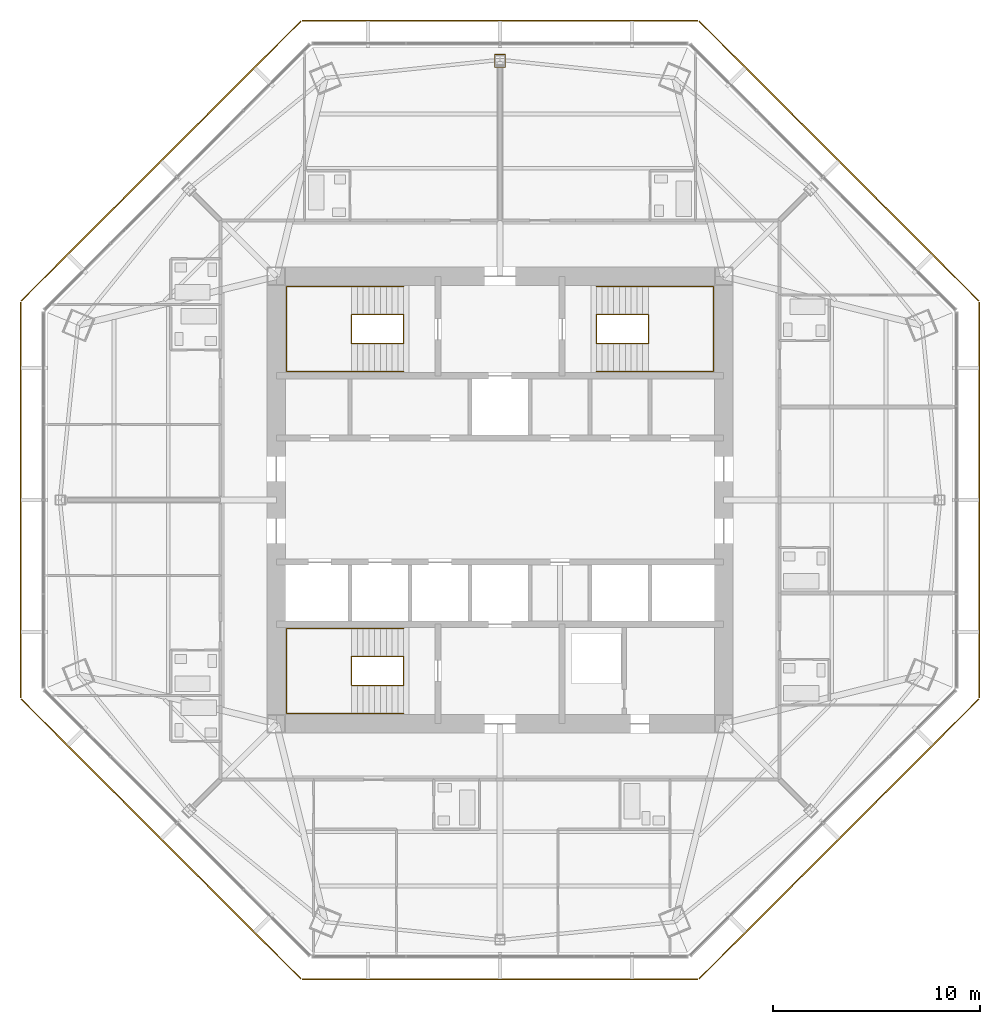
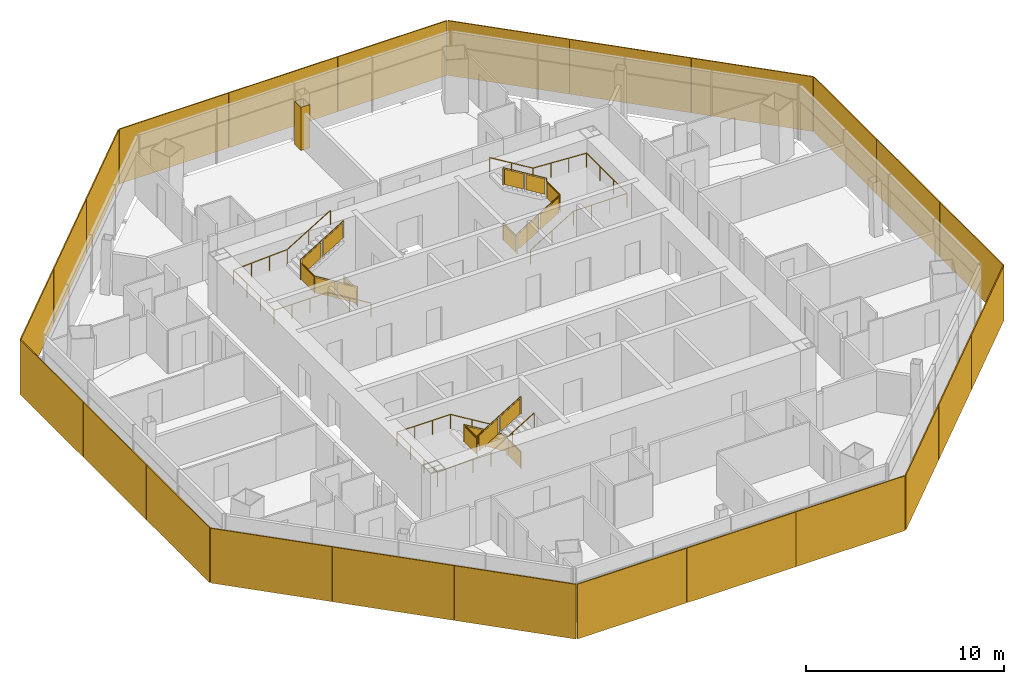
# One storey, part 14 of 15: 24 shading devices, 6 railings, 1 covering.
"""IFC4 building model written with IfcOpenShell, lengths in metres."""

import ifcopenshell
import ifcopenshell.guid

model = None  # the IFC model being written
_history = None  # IfcOwnerHistory: only IFC2X3 demands one
_inside = {}  # id of a spatial element -> (the spatial element, [elements in it])
_under = {}  # id of a project, library or spatial element -> (it, [spatial elements below it])
_declared = {}  # id of a project -> (the project, [libraries it declares])
_typed = {}  # id of a type object -> (the type object, [elements of that type])
_made_of = {}  # id of a material, layer set ... -> (it, [elements and type objects made of it])


def new_model(schema):
    """Start an empty IFC model of exactly this schema.

    Asked for "IFC4X3", IfcOpenShell would pick the latest addendum, in which some entities
    have other attributes; the version numbers below select the first issue.
    IFC2X3 requires an IfcOwnerHistory on every rooted entity: one is made here for all.
    """
    global model, _history
    if schema == "IFC4X3":
        model = ifcopenshell.file(schema_version=(4, 3, 0, 0))
    else:
        model = ifcopenshell.file(schema=schema)
    _inside.clear()
    _under.clear()
    _declared.clear()
    _typed.clear()
    _made_of.clear()
    _history = None
    if model.schema == "IFC2X3":
        org = make("IfcOrganization", Name="unknown")
        user = make(
            "IfcPersonAndOrganization",
            ThePerson=make("IfcPerson", FamilyName="unknown"),
            TheOrganization=org,
        )
        app = make(
            "IfcApplication",
            ApplicationDeveloper=org,
            Version="unknown",
            ApplicationFullName="unknown",
            ApplicationIdentifier="unknown",
        )
        _history = make(
            "IfcOwnerHistory",
            OwningUser=user,
            OwningApplication=app,
            ChangeAction="ADDED",
            CreationDate=0,
        )
    return model


def make(cls, **values):
    """One entity of the class cls with the attributes given. An attribute that is None is left unset."""
    return model.create_entity(
        cls, **{name: value for name, value in values.items() if value is not None}
    )


def rooted(cls, **values):
    """An entity with a GlobalId (a new one), such as an element, a storey or a relation."""
    return make(cls, GlobalId=ifcopenshell.guid.new(), OwnerHistory=_history, **values)


def si_unit(unit_type, name, prefix=None):
    """IfcSIUnit, for example si_unit("LENGTHUNIT", "METRE", prefix="MILLI")."""
    return make("IfcSIUnit", UnitType=unit_type, Prefix=prefix, Name=name)


def assignment(units):
    """IfcUnitAssignment: the units of a project."""
    return None if units is None else make("IfcUnitAssignment", Units=units)


def point(xyz):
    """IfcCartesianPoint."""
    return None if xyz is None else make("IfcCartesianPoint", Coordinates=xyz)


def direction(xyz):
    """IfcDirection."""
    return None if xyz is None else make("IfcDirection", DirectionRatios=xyz)


def frame(location, z_axis=None, x_axis=None):
    """IfcAxis2Placement3D, a coordinate frame: its origin and axes. An axis left out is left unset."""
    return make(
        "IfcAxis2Placement3D",
        Location=point(location),
        Axis=direction(z_axis),
        RefDirection=direction(x_axis),
    )


def frame_2d(location, x_axis=None):
    """IfcAxis2Placement2D, a coordinate frame in the plane: its origin and x axis."""
    return make(
        "IfcAxis2Placement2D", Location=point(location), RefDirection=direction(x_axis)
    )


def origin():
    """The frame at (0, 0, 0) with its axes left unset."""
    return frame((0.0, 0.0, 0.0))


def origin_2d():
    """The frame at (0, 0) in the plane with its x axis left unset."""
    return frame_2d((0.0, 0.0))


def place(relative_to, where):
    """IfcLocalPlacement: puts the frame where relative to a parent placement (None: the world)."""
    return make(
        "IfcLocalPlacement", PlacementRelTo=relative_to, RelativePlacement=where
    )


def context(
    kind, dimensions, precision=None, world=None, true_north=None, identifier=None
):
    """IfcGeometricRepresentationContext, for example the 3D "Model" context."""
    return make(
        "IfcGeometricRepresentationContext",
        ContextIdentifier=identifier,
        ContextType=kind,
        CoordinateSpaceDimension=dimensions,
        Precision=precision,
        WorldCoordinateSystem=world,
        TrueNorth=true_north,
    )


def subcontext(parent, identifier, kind, view, scale=None):
    """IfcGeometricRepresentationSubContext, for example "Body" below "Model"."""
    return make(
        "IfcGeometricRepresentationSubContext",
        ContextIdentifier=identifier,
        ContextType=kind,
        ParentContext=parent,
        TargetScale=scale,
        TargetView=view,
    )


def project(units=None, contexts=None):
    """IfcProject with its units and contexts."""
    return rooted(
        "IfcProject",
        Name="project",
        RepresentationContexts=contexts,
        UnitsInContext=assignment(units),
    )


def spatial(cls, under=None, at=None, **own):
    """A site, building, storey or space (cls), placed at a placement, below another one or the project."""
    s = rooted(cls, ObjectPlacement=at, **own)
    if under is not None:
        _under.setdefault(under.id(), (under, []))[1].append(s)
    return s


def polyline(points):
    """IfcPolyline through the points."""
    return make("IfcPolyline", Points=[point(p) for p in points])


def profile(cls, at=None, kind="AREA", **sizes):
    """A parametric profile (cls). Its sizes go by their IFC names, for example OverallWidth=200.0."""
    return make(cls, ProfileType=kind, Position=at, **sizes)


def rectangle(**sizes):
    """IfcRectangleProfileDef."""
    return profile("IfcRectangleProfileDef", **sizes)


def circle(**sizes):
    """IfcCircleProfileDef."""
    return profile("IfcCircleProfileDef", **sizes)


def outline(outer, holes=None, kind="AREA"):
    """IfcArbitraryClosedProfileDef: a profile drawn as a closed curve; with holes, ...WithVoids."""
    if holes is None:
        return make("IfcArbitraryClosedProfileDef", ProfileType=kind, OuterCurve=outer)
    return make(
        "IfcArbitraryProfileDefWithVoids",
        ProfileType=kind,
        OuterCurve=outer,
        InnerCurves=holes,
    )


def extrude(swept, where, along, depth):
    """IfcExtrudedAreaSolid: the profile swept, set in the frame where, extruded along a direction by depth."""
    return make(
        "IfcExtrudedAreaSolid",
        SweptArea=swept,
        Position=where,
        ExtrudedDirection=direction(along),
        Depth=depth,
    )


def shape(context_of_items, identifier, shape_type, items):
    """IfcShapeRepresentation: the items that make up one representation, for example the "Body"."""
    return make(
        "IfcShapeRepresentation",
        ContextOfItems=context_of_items,
        RepresentationIdentifier=identifier,
        RepresentationType=shape_type,
        Items=items,
    )


def source(mapping_origin, context_of_items, identifier, shape_type, items):
    """IfcRepresentationMap: a shape defined once, which mapped items show again and again."""
    return make(
        "IfcRepresentationMap",
        MappingOrigin=mapping_origin,
        MappedRepresentation=shape(context_of_items, identifier, shape_type, items),
    )


def transform(
    local_origin,
    x_axis=None,
    y_axis=None,
    z_axis=None,
    scale=None,
    scale2=None,
    scale3=None,
    uniform=True,
):
    """IfcCartesianTransformationOperator3D, or its non-uniform kind. x_axis, y_axis, z_axis: its Axis1, 2, 3."""
    if uniform:
        return make(
            "IfcCartesianTransformationOperator3D",
            Axis1=direction(x_axis),
            Axis2=direction(y_axis),
            LocalOrigin=point(local_origin),
            Scale=scale,
            Axis3=direction(z_axis),
        )
    return make(
        "IfcCartesianTransformationOperator3DnonUniform",
        Axis1=direction(x_axis),
        Axis2=direction(y_axis),
        LocalOrigin=point(local_origin),
        Scale=scale,
        Axis3=direction(z_axis),
        Scale2=scale2,
        Scale3=scale3,
    )


def mapped(mapping_source, mapping_target):
    """IfcMappedItem: shows the shape of a source again, moved by a transform."""
    return make(
        "IfcMappedItem", MappingSource=mapping_source, MappingTarget=mapping_target
    )


def material(Name=None, Category=None):
    """IfcMaterial."""
    return make("IfcMaterial", Name=Name, Category=Category)


def layer(
    of_material, thickness, ventilated=None, Name=None, Category=None, Priority=None
):
    """IfcMaterialLayer: one layer of a wall or slab, of a material (None: an air gap)."""
    return make(
        "IfcMaterialLayer",
        Material=of_material,
        LayerThickness=thickness,
        IsVentilated=ventilated,
        Name=Name,
        Category=Category,
        Priority=Priority,
    )


def layer_set(layers, Name=None):
    """IfcMaterialLayerSet."""
    return make("IfcMaterialLayerSet", MaterialLayers=layers, LayerSetName=Name)


def made_of(thing, what):
    """Note that an element or type object is made of a material, layer set ...; save() writes the relation."""
    if what is not None:
        _made_of.setdefault(what.id(), (what, []))[1].append(thing)
    return thing


def type_object(cls, material=None, **own):
    """A type object (cls), such as IfcWallType, which elements share."""
    return made_of(rooted(cls, **own), material)


def type_shapes(of_type, sources):
    """Give a type object the sources (RepresentationMaps) that its elements show as mapped items."""
    of_type.RepresentationMaps = sources


def element(
    cls,
    number,
    at=None,
    inside=None,
    cuts=None,
    type_object=None,
    material=None,
    context=None,
    identifier="Body",
    shape_type=None,
    held_by="IfcProductDefinitionShape",
    body=None,
    shapes=None,
    **own,
):
    """One element of the class cls, such as IfcWall. Its Tag is "e" and its number.

    at: its placement. inside: the storey or other place that contains it. cuts: it is an
    opening in that element (IfcRelVoidsElement). A single representation is given by context,
    identifier, shape_type and body (its items); several are given by shapes. held_by: the class
    of the entity that holds the representations. save() writes the other relations.
    """
    e = rooted(cls, Tag="e%d" % number, ObjectPlacement=at, **own)
    if body is not None:
        shapes = [shape(context, identifier, shape_type, body)]
    if shapes is not None:
        e.Representation = make(held_by, Representations=shapes)
    if inside is not None:
        _inside.setdefault(inside.id(), (inside, []))[1].append(e)
    if cuts is not None:
        rooted(
            "IfcRelVoidsElement", RelatingBuildingElement=cuts, RelatedOpeningElement=e
        )
    if type_object is not None:
        _typed.setdefault(type_object.id(), (type_object, []))[1].append(e)
    return made_of(e, material)


def aggregate(whole, parts):
    """IfcRelAggregates: a whole, such as a stair, and the parts it consists of."""
    return rooted("IfcRelAggregates", RelatingObject=whole, RelatedObjects=parts)


def save(model, path):
    """Write the relations noted so far, then the file.

    IfcRelAggregates (storeys below a building ...), IfcRelContainedInSpatialStructure (elements
    in a storey), IfcRelDefinesByType, IfcRelAssociatesMaterial and IfcRelDeclares: one each for
    every whole, place, type object, material and project.
    """
    for whole, parts in _under.values():
        aggregate(whole, parts)
    for where, things in _inside.values():
        rooted(
            "IfcRelContainedInSpatialStructure",
            RelatedElements=things,
            RelatingStructure=where,
        )
    for kind, things in _typed.values():
        rooted("IfcRelDefinesByType", RelatedObjects=things, RelatingType=kind)
    for what, things in _made_of.values():
        rooted("IfcRelAssociatesMaterial", RelatedObjects=things, RelatingMaterial=what)
    for by, libraries in _declared.values():
        rooted("IfcRelDeclares", RelatingContext=by, RelatedDefinitions=libraries)
    model.write(path)


model = new_model("IFC4")

# Units and contexts
model_context = context("Model", 3, precision=1e-05, world=origin(), true_north=direction((0.0, 1.0)))
body_context = subcontext(model_context, "Body", "Model", "MODEL_VIEW")
ifc_project = project(units=[si_unit("LENGTHUNIT", "METRE"), si_unit("AREAUNIT", "SQUARE_METRE"), si_unit("VOLUMEUNIT", "CUBIC_METRE"), si_unit("PLANEANGLEUNIT", "RADIAN"), si_unit("MASSUNIT", "GRAM", prefix="KILO")], contexts=[model_context])

# Site, building, storey
site_placement = place(None, origin())
site = spatial("IfcSite", under=ifc_project, at=site_placement, CompositionType="ELEMENT")
building_placement = place(site_placement, origin())
building = spatial("IfcBuilding", under=site, at=building_placement, Name="Mashrafa Tower", CompositionType="ELEMENT")
storey_placement = place(building_placement, frame((0.0, 0.0, 210.800048828125)))
storey = spatial("IfcBuildingStorey", under=building, at=storey_placement, Name="L48", CompositionType="ELEMENT", Elevation=210.800048828125)

# Covering
ifc_material_1 = material(Name="Gypsum board")
ifc_layer_1 = layer(ifc_material_1, 0.014892578125)
ifc_layer_set_1 = layer_set([ifc_layer_1], Name="Column casing plasterboard 15")
covering_type = type_object("IfcCoveringType", Name="Column casing plasterboard 15", PredefinedType="CLADDING", material=ifc_layer_set_1)
covering_placement = place(storey_placement, origin())
element("IfcCovering", 1, at=covering_placement, inside=storey, type_object=covering_type, Name="Column casing L48-001", PredefinedType="CLADDING", context=body_context, shape_type="SweptSolid", body=[
    extrude(outline(polyline([(-0.264892578125, 21.5166015625), (0.264892578125, 21.5166015625), (0.264892578125, 20.89013671875), (-0.264892578125, 20.89013671875), (-0.264892578125, 21.5166015625)]), holes=[polyline([(0.25, 20.9052734375), (0.25, 21.501708984375), (-0.25, 21.501708984375), (-0.25, 20.9052734375), (0.25, 20.9052734375)])]), origin(), (0.0, 0.0, 1.0), 2.6640625),
])

# Railings
ifc_material_2 = material(Name="Steel guard with glass infill", Category="steel")
railing_type_1 = type_object("IfcRailingType", Name="Stair guard 1100", PredefinedType="GUARDRAIL", material=ifc_material_2)
railing_1_placement = place(storey_placement, frame((-4.64990234375, 8.949951171875, 0.0)))
element("IfcRailing", 2, at=railing_1_placement, inside=storey, type_object=railing_type_1, Name="Stair S1 guard L48", PredefinedType="GUARDRAIL", context=body_context, shape_type="SweptSolid", body=[
    extrude(circle(Radius=0.02392578125, at=origin_2d()), frame((0.0, 0.0, 1.076171875), z_axis=(0.0, -1.0, 0.0), x_axis=(1.0, 0.0, 0.0)), (0.0, 0.0, 1.0), 1.39990234375),
    extrude(circle(Radius=0.02392578125, at=origin_2d()), frame((0.0, -1.39990234375, 1.076171875), z_axis=(0.0, 0.0, 1.0), x_axis=(1.0, 0.0, 0.0)), (0.0, 0.0, 1.0), 0.169921875),
    extrude(circle(Radius=0.02392578125, at=origin_2d()), frame((0.0, -1.39990234375, 1.24609375), z_axis=(-0.85478489116, 0.0, 0.518982456201), x_axis=(0.0, -1.0, 0.0)), (0.0, 0.0, 1.0), 2.9482421875),
    extrude(circle(Radius=0.02392578125, at=origin_2d()), frame((-2.52001953125, -1.39990234375, 2.77587890625), z_axis=(0.0, 1.0, 0.0), x_axis=(-1.0, 0.0, 0.0)), (0.0, 0.0, 1.0), 1.39990234375),
    extrude(circle(Radius=0.02392578125, at=origin_2d()), frame((-2.52001953125, 0.0, 2.77587890625), z_axis=(0.0, 0.0, 1.0), x_axis=(1.0, 0.0, 0.0)), (0.0, 0.0, 1.0), 0.169921875),
    extrude(circle(Radius=0.02392578125, at=origin_2d()), frame((-2.52001953125, 0.0, 2.94580078125), z_axis=(0.85478489116, 0.0, 0.518982456201), x_axis=(0.0, 1.0, 0.0)), (0.0, 0.0, 1.0), 2.9482421875),
    extrude(circle(Radius=0.02099609375, at=origin_2d()), origin(), (0.0, 0.0, 1.0), 1.052001953125),
    extrude(circle(Radius=0.02099609375, at=origin_2d()), frame((0.0, -1.39990234375, 0.0)), (0.0, 0.0, 1.0), 1.052001953125),
    extrude(circle(Radius=0.02099609375, at=origin_2d()), frame((0.0, -1.39990234375, 0.169921875)), (0.0, 0.0, 1.0), 1.052001953125),
    extrude(circle(Radius=0.02099609375, at=origin_2d()), frame((-1.260009765625, -1.39990234375, 0.93505859375)), (0.0, 0.0, 1.0), 1.052001953125),
    extrude(circle(Radius=0.02099609375, at=origin_2d()), frame((-2.52001953125, -1.39990234375, 1.699951171875)), (0.0, 0.0, 1.0), 1.052001953125),
    extrude(circle(Radius=0.02099609375, at=origin_2d()), frame((-2.52001953125, 0.0, 1.699951171875)), (0.0, 0.0, 1.0), 1.052001953125),
    extrude(circle(Radius=0.02099609375, at=origin_2d()), frame((-2.52001953125, 0.0, 1.869873046875)), (0.0, 0.0, 1.0), 1.052001953125),
    extrude(circle(Radius=0.02099609375, at=origin_2d()), frame((-1.260009765625, 0.0, 2.634765625)), (0.0, 0.0, 1.0), 1.052001953125),
    extrude(circle(Radius=0.02099609375, at=origin_2d()), frame((0.0, 0.0, 3.39990234375)), (0.0, 0.0, 1.0), 1.052001953125),
    extrude(outline(polyline([(0.071044921875, 0.050048828125), (1.328857421875, 0.050048828125), (1.328857421875, 1.001953125), (0.071044921875, 1.001953125), (0.071044921875, 0.050048828125)])), frame((-0.006103515625, 0.0, 0.0), z_axis=(-1.0, 0.0, 0.0), x_axis=(0.0, -1.0, 0.0)), (0.0, 0.0, 1.0), 0.011962890625),
    extrude(outline(polyline([(0.071044921875, 0.093017578125), (1.18896484375, 0.77197265625), (1.18896484375, 1.723876953125), (0.071044921875, 1.045166015625), (0.071044921875, 0.093017578125)])), frame((0.0, -1.393798828125, 0.169921875), z_axis=(0.0, 1.0, 0.0), x_axis=(-1.0, 0.0, 0.0)), (0.0, 0.0, 1.0), 0.011962890625),
    extrude(outline(polyline([(1.3310546875, 0.858154296875), (2.448974609375, 1.536865234375), (2.448974609375, 2.489013671875), (1.3310546875, 1.81005859375), (1.3310546875, 0.858154296875)])), frame((0.0, -1.393798828125, 0.169921875), z_axis=(0.0, 1.0, 0.0), x_axis=(-1.0, 0.0, 0.0)), (0.0, 0.0, 1.0), 0.011962890625),
    extrude(outline(polyline([(0.071044921875, 0.050048828125), (1.328857421875, 0.050048828125), (1.328857421875, 1.001953125), (0.071044921875, 1.001953125), (0.071044921875, 0.050048828125)])), frame((-2.513916015625, -1.39990234375, 1.699951171875), z_axis=(1.0, 0.0, 0.0), x_axis=(0.0, 1.0, 0.0)), (0.0, 0.0, 1.0), 0.011962890625),
    extrude(outline(polyline([(0.071044921875, 0.093017578125), (1.18896484375, 0.77197265625), (1.18896484375, 1.723876953125), (0.071044921875, 1.045166015625), (0.071044921875, 0.093017578125)])), frame((-2.52001953125, -0.006103515625, 1.869873046875), z_axis=(0.0, -1.0, 0.0), x_axis=(1.0, 0.0, 0.0)), (0.0, 0.0, 1.0), 0.011962890625),
    extrude(outline(polyline([(1.3310546875, 0.858154296875), (2.448974609375, 1.536865234375), (2.448974609375, 2.489013671875), (1.3310546875, 1.81005859375), (1.3310546875, 0.858154296875)])), frame((-2.52001953125, -0.006103515625, 1.869873046875), z_axis=(0.0, -1.0, 0.0), x_axis=(1.0, 0.0, 0.0)), (0.0, 0.0, 1.0), 0.011962890625),
])
railing_2_placement = place(storey_placement, frame((4.64990234375, 8.949951171875, 0.0)))
element("IfcRailing", 3, at=railing_2_placement, inside=storey, type_object=railing_type_1, Name="Stair S2 guard L48", PredefinedType="GUARDRAIL", context=body_context, shape_type="SweptSolid", body=[
    extrude(circle(Radius=0.02392578125, at=origin_2d()), frame((0.0, 0.0, 1.076171875), z_axis=(0.0, -1.0, 0.0), x_axis=(1.0, 0.0, 0.0)), (0.0, 0.0, 1.0), 1.39990234375),
    extrude(circle(Radius=0.02392578125, at=origin_2d()), frame((0.0, -1.39990234375, 1.076171875), z_axis=(0.0, 0.0, 1.0), x_axis=(1.0, 0.0, 0.0)), (0.0, 0.0, 1.0), 0.169921875),
    extrude(circle(Radius=0.02392578125, at=origin_2d()), frame((0.0, -1.39990234375, 1.24609375), z_axis=(0.85478489116, 0.0, 0.518982456201), x_axis=(0.0, 1.0, 0.0)), (0.0, 0.0, 1.0), 2.9482421875),
    extrude(circle(Radius=0.02392578125, at=origin_2d()), frame((2.52001953125, -1.39990234375, 2.77587890625), z_axis=(0.0, 1.0, 0.0), x_axis=(-1.0, 0.0, 0.0)), (0.0, 0.0, 1.0), 1.39990234375),
    extrude(circle(Radius=0.02392578125, at=origin_2d()), frame((2.52001953125, 0.0, 2.77587890625), z_axis=(0.0, 0.0, 1.0), x_axis=(1.0, 0.0, 0.0)), (0.0, 0.0, 1.0), 0.169921875),
    extrude(circle(Radius=0.02392578125, at=origin_2d()), frame((2.52001953125, 0.0, 2.94580078125), z_axis=(-0.85478489116, 0.0, 0.518982456201), x_axis=(0.0, -1.0, 0.0)), (0.0, 0.0, 1.0), 2.9482421875),
    extrude(circle(Radius=0.02099609375, at=origin_2d()), origin(), (0.0, 0.0, 1.0), 1.052001953125),
    extrude(circle(Radius=0.02099609375, at=origin_2d()), frame((0.0, -1.39990234375, 0.0)), (0.0, 0.0, 1.0), 1.052001953125),
    extrude(circle(Radius=0.02099609375, at=origin_2d()), frame((0.0, -1.39990234375, 0.169921875)), (0.0, 0.0, 1.0), 1.052001953125),
    extrude(circle(Radius=0.02099609375, at=origin_2d()), frame((1.260009765625, -1.39990234375, 0.93505859375)), (0.0, 0.0, 1.0), 1.052001953125),
    extrude(circle(Radius=0.02099609375, at=origin_2d()), frame((2.52001953125, -1.39990234375, 1.699951171875)), (0.0, 0.0, 1.0), 1.052001953125),
    extrude(circle(Radius=0.02099609375, at=origin_2d()), frame((2.52001953125, 0.0, 1.699951171875)), (0.0, 0.0, 1.0), 1.052001953125),
    extrude(circle(Radius=0.02099609375, at=origin_2d()), frame((2.52001953125, 0.0, 1.869873046875)), (0.0, 0.0, 1.0), 1.052001953125),
    extrude(circle(Radius=0.02099609375, at=origin_2d()), frame((1.260009765625, 0.0, 2.634765625)), (0.0, 0.0, 1.0), 1.052001953125),
    extrude(circle(Radius=0.02099609375, at=origin_2d()), frame((0.0, 0.0, 3.39990234375)), (0.0, 0.0, 1.0), 1.052001953125),
    extrude(outline(polyline([(0.071044921875, 0.050048828125), (1.328857421875, 0.050048828125), (1.328857421875, 1.001953125), (0.071044921875, 1.001953125), (0.071044921875, 0.050048828125)])), frame((-0.006103515625, 0.0, 0.0), z_axis=(-1.0, 0.0, 0.0), x_axis=(0.0, -1.0, 0.0)), (0.0, 0.0, 1.0), 0.011962890625),
    extrude(outline(polyline([(0.071044921875, 0.093017578125), (1.18896484375, 0.77197265625), (1.18896484375, 1.723876953125), (0.071044921875, 1.045166015625), (0.071044921875, 0.093017578125)])), frame((0.0, -1.406005859375, 0.169921875), z_axis=(0.0, -1.0, 0.0), x_axis=(1.0, 0.0, 0.0)), (0.0, 0.0, 1.0), 0.011962890625),
    extrude(outline(polyline([(1.3310546875, 0.858154296875), (2.448974609375, 1.536865234375), (2.448974609375, 2.489013671875), (1.3310546875, 1.81005859375), (1.3310546875, 0.858154296875)])), frame((0.0, -1.406005859375, 0.169921875), z_axis=(0.0, -1.0, 0.0), x_axis=(1.0, 0.0, 0.0)), (0.0, 0.0, 1.0), 0.011962890625),
    extrude(outline(polyline([(0.071044921875, 0.050048828125), (1.328857421875, 0.050048828125), (1.328857421875, 1.001953125), (0.071044921875, 1.001953125), (0.071044921875, 0.050048828125)])), frame((2.526123046875, -1.39990234375, 1.699951171875), z_axis=(1.0, 0.0, 0.0), x_axis=(0.0, 1.0, 0.0)), (0.0, 0.0, 1.0), 0.011962890625),
    extrude(outline(polyline([(0.071044921875, 0.093017578125), (1.18896484375, 0.77197265625), (1.18896484375, 1.723876953125), (0.071044921875, 1.045166015625), (0.071044921875, 0.093017578125)])), frame((2.52001953125, 0.006103515625, 1.869873046875), z_axis=(0.0, 1.0, 0.0), x_axis=(-1.0, 0.0, 0.0)), (0.0, 0.0, 1.0), 0.011962890625),
    extrude(outline(polyline([(1.3310546875, 0.858154296875), (2.448974609375, 1.536865234375), (2.448974609375, 2.489013671875), (1.3310546875, 1.81005859375), (1.3310546875, 0.858154296875)])), frame((2.52001953125, 0.006103515625, 1.869873046875), z_axis=(0.0, 1.0, 0.0), x_axis=(-1.0, 0.0, 0.0)), (0.0, 0.0, 1.0), 0.011962890625),
])
railing_3_placement = place(storey_placement, frame((-4.64990234375, -8.949951171875, 0.0)))
element("IfcRailing", 4, at=railing_3_placement, inside=storey, type_object=railing_type_1, Name="Stair S3 guard L48", PredefinedType="GUARDRAIL", context=body_context, shape_type="SweptSolid", body=[
    extrude(circle(Radius=0.02392578125, at=origin_2d()), frame((0.0, 0.0, 1.076171875), z_axis=(0.0, 1.0, 0.0), x_axis=(-1.0, 0.0, 0.0)), (0.0, 0.0, 1.0), 1.39990234375),
    extrude(circle(Radius=0.02392578125, at=origin_2d()), frame((0.0, 1.39990234375, 1.076171875), z_axis=(0.0, 0.0, 1.0), x_axis=(1.0, 0.0, 0.0)), (0.0, 0.0, 1.0), 0.169921875),
    extrude(circle(Radius=0.02392578125, at=origin_2d()), frame((0.0, 1.39990234375, 1.24609375), z_axis=(-0.85478489116, 0.0, 0.518982456201), x_axis=(0.0, -1.0, 0.0)), (0.0, 0.0, 1.0), 2.9482421875),
    extrude(circle(Radius=0.02392578125, at=origin_2d()), frame((-2.52001953125, 1.39990234375, 2.77587890625), z_axis=(0.0, -1.0, 0.0), x_axis=(1.0, 0.0, 0.0)), (0.0, 0.0, 1.0), 1.39990234375),
    extrude(circle(Radius=0.02392578125, at=origin_2d()), frame((-2.52001953125, 0.0, 2.77587890625), z_axis=(0.0, 0.0, 1.0), x_axis=(1.0, 0.0, 0.0)), (0.0, 0.0, 1.0), 0.169921875),
    extrude(circle(Radius=0.02392578125, at=origin_2d()), frame((-2.52001953125, 0.0, 2.94580078125), z_axis=(0.85478489116, 0.0, 0.518982456201), x_axis=(0.0, 1.0, 0.0)), (0.0, 0.0, 1.0), 2.9482421875),
    extrude(circle(Radius=0.02099609375, at=origin_2d()), origin(), (0.0, 0.0, 1.0), 1.052001953125),
    extrude(circle(Radius=0.02099609375, at=origin_2d()), frame((0.0, 1.39990234375, 0.0)), (0.0, 0.0, 1.0), 1.052001953125),
    extrude(circle(Radius=0.02099609375, at=origin_2d()), frame((0.0, 1.39990234375, 0.169921875)), (0.0, 0.0, 1.0), 1.052001953125),
    extrude(circle(Radius=0.02099609375, at=origin_2d()), frame((-1.260009765625, 1.39990234375, 0.93505859375)), (0.0, 0.0, 1.0), 1.052001953125),
    extrude(circle(Radius=0.02099609375, at=origin_2d()), frame((-2.52001953125, 1.39990234375, 1.699951171875)), (0.0, 0.0, 1.0), 1.052001953125),
    extrude(circle(Radius=0.02099609375, at=origin_2d()), frame((-2.52001953125, 0.0, 1.699951171875)), (0.0, 0.0, 1.0), 1.052001953125),
    extrude(circle(Radius=0.02099609375, at=origin_2d()), frame((-2.52001953125, 0.0, 1.869873046875)), (0.0, 0.0, 1.0), 1.052001953125),
    extrude(circle(Radius=0.02099609375, at=origin_2d()), frame((-1.260009765625, 0.0, 2.634765625)), (0.0, 0.0, 1.0), 1.052001953125),
    extrude(circle(Radius=0.02099609375, at=origin_2d()), frame((0.0, 0.0, 3.39990234375)), (0.0, 0.0, 1.0), 1.052001953125),
    extrude(outline(polyline([(0.071044921875, 0.050048828125), (1.328857421875, 0.050048828125), (1.328857421875, 1.001953125), (0.071044921875, 1.001953125), (0.071044921875, 0.050048828125)])), frame((0.006103515625, 0.0, 0.0), z_axis=(1.0, 0.0, 0.0), x_axis=(0.0, 1.0, 0.0)), (0.0, 0.0, 1.0), 0.011962890625),
    extrude(outline(polyline([(0.071044921875, 0.093017578125), (1.18896484375, 0.77197265625), (1.18896484375, 1.723876953125), (0.071044921875, 1.045166015625), (0.071044921875, 0.093017578125)])), frame((0.0, 1.406005859375, 0.169921875), z_axis=(0.0, 1.0, 0.0), x_axis=(-1.0, 0.0, 0.0)), (0.0, 0.0, 1.0), 0.011962890625),
    extrude(outline(polyline([(1.3310546875, 0.858154296875), (2.448974609375, 1.536865234375), (2.448974609375, 2.489013671875), (1.3310546875, 1.81005859375), (1.3310546875, 0.858154296875)])), frame((0.0, 1.406005859375, 0.169921875), z_axis=(0.0, 1.0, 0.0), x_axis=(-1.0, 0.0, 0.0)), (0.0, 0.0, 1.0), 0.011962890625),
    extrude(outline(polyline([(0.071044921875, 0.050048828125), (1.328857421875, 0.050048828125), (1.328857421875, 1.001953125), (0.071044921875, 1.001953125), (0.071044921875, 0.050048828125)])), frame((-2.526123046875, 1.39990234375, 1.699951171875), z_axis=(-1.0, 0.0, 0.0), x_axis=(0.0, -1.0, 0.0)), (0.0, 0.0, 1.0), 0.011962890625),
    extrude(outline(polyline([(0.071044921875, 0.093017578125), (1.18896484375, 0.77197265625), (1.18896484375, 1.723876953125), (0.071044921875, 1.045166015625), (0.071044921875, 0.093017578125)])), frame((-2.52001953125, -0.006103515625, 1.869873046875), z_axis=(0.0, -1.0, 0.0), x_axis=(1.0, 0.0, 0.0)), (0.0, 0.0, 1.0), 0.011962890625),
    extrude(outline(polyline([(1.3310546875, 0.858154296875), (2.448974609375, 1.536865234375), (2.448974609375, 2.489013671875), (1.3310546875, 1.81005859375), (1.3310546875, 0.858154296875)])), frame((-2.52001953125, -0.006103515625, 1.869873046875), z_axis=(0.0, -1.0, 0.0), x_axis=(1.0, 0.0, 0.0)), (0.0, 0.0, 1.0), 0.011962890625),
])
ifc_material_3 = material(Name="Steel", Category="steel")
railing_type_2 = type_object("IfcRailingType", Name="Stair handrail 900", PredefinedType="HANDRAIL", material=ifc_material_3)
railing_4_placement = place(storey_placement, frame((-4.64990234375, 6.199951171875, 0.169921875)))
element("IfcRailing", 5, at=railing_4_placement, inside=storey, type_object=railing_type_2, Name="Stair S1 handrail L48", PredefinedType="HANDRAIL", context=body_context, shape_type="SweptSolid", body=[
    extrude(circle(Radius=0.02392578125, at=origin_2d()), frame((0.0, 0.0, 0.8759765625), z_axis=(-0.85478489116, 0.0, 0.518982456201), x_axis=(0.0, -1.0, 0.0)), (0.0, 0.0, 1.0), 2.9482421875),
    extrude(circle(Radius=0.02392578125, at=origin_2d()), frame((-2.52001953125, 0.0, 2.40576171875), z_axis=(-1.0, 0.0, 0.0), x_axis=(0.0, -1.0, 0.0)), (0.0, 0.0, 1.0), 3.130126953125),
    extrude(circle(Radius=0.02392578125, at=origin_2d()), frame((-5.650146484375, 0.0, 2.40576171875), z_axis=(0.0, 1.0, 0.0), x_axis=(-1.0, 0.0, 0.0)), (0.0, 0.0, 1.0), 4.10009765625),
    extrude(circle(Radius=0.02392578125, at=origin_2d()), frame((-5.650146484375, 4.10009765625, 2.40576171875), z_axis=(0.998529767259, 0.0, 0.054206124172), x_axis=(0.0, 1.0, 0.0)), (0.0, 0.0, 1.0), 3.134765625),
    extrude(circle(Radius=0.02392578125, at=origin_2d()), frame((-2.52001953125, 4.10009765625, 2.57568359375), z_axis=(0.85478489116, 0.0, 0.518982456201), x_axis=(0.0, 1.0, 0.0)), (0.0, 0.0, 1.0), 2.9482421875),
    extrude(circle(Radius=0.02099609375, at=origin_2d()), origin(), (0.0, 0.0, 1.0), 0.851806640625),
    extrude(circle(Radius=0.02099609375, at=origin_2d()), frame((-1.260009765625, 0.0, 0.76513671875)), (0.0, 0.0, 1.0), 0.851806640625),
    extrude(circle(Radius=0.02099609375, at=origin_2d()), frame((-2.52001953125, 0.0, 1.530029296875)), (0.0, 0.0, 1.0), 0.851806640625),
    extrude(circle(Radius=0.02099609375, at=origin_2d()), frame((-3.5634765625, 0.0, 1.530029296875)), (0.0, 0.0, 1.0), 0.851806640625),
    extrude(circle(Radius=0.02099609375, at=origin_2d()), frame((-4.606689453125, 0.0, 1.530029296875)), (0.0, 0.0, 1.0), 0.851806640625),
    extrude(circle(Radius=0.02099609375, at=origin_2d()), frame((-5.650146484375, 0.0, 1.530029296875)), (0.0, 0.0, 1.0), 0.851806640625),
    extrude(circle(Radius=0.02099609375, at=origin_2d()), frame((-5.650146484375, 1.36669921875, 1.530029296875)), (0.0, 0.0, 1.0), 0.851806640625),
    extrude(circle(Radius=0.02099609375, at=origin_2d()), frame((-5.650146484375, 2.7333984375, 1.530029296875)), (0.0, 0.0, 1.0), 0.851806640625),
    extrude(circle(Radius=0.02099609375, at=origin_2d()), frame((-5.650146484375, 4.10009765625, 1.530029296875)), (0.0, 0.0, 1.0), 0.851806640625),
    extrude(circle(Radius=0.02099609375, at=origin_2d()), frame((-4.606689453125, 4.10009765625, 1.586669921875)), (0.0, 0.0, 1.0), 0.851806640625),
    extrude(circle(Radius=0.02099609375, at=origin_2d()), frame((-3.5634765625, 4.10009765625, 1.643310546875)), (0.0, 0.0, 1.0), 0.851806640625),
    extrude(circle(Radius=0.02099609375, at=origin_2d()), frame((-2.52001953125, 4.10009765625, 1.699951171875)), (0.0, 0.0, 1.0), 0.851806640625),
    extrude(circle(Radius=0.02099609375, at=origin_2d()), frame((-1.260009765625, 4.10009765625, 2.46484375)), (0.0, 0.0, 1.0), 0.851806640625),
    extrude(circle(Radius=0.02099609375, at=origin_2d()), frame((0.0, 4.10009765625, 3.22998046875)), (0.0, 0.0, 1.0), 0.851806640625),
])
railing_5_placement = place(storey_placement, frame((4.64990234375, 6.199951171875, 0.169921875)))
element("IfcRailing", 6, at=railing_5_placement, inside=storey, type_object=railing_type_2, Name="Stair S2 handrail L48", PredefinedType="HANDRAIL", context=body_context, shape_type="SweptSolid", body=[
    extrude(circle(Radius=0.02392578125, at=origin_2d()), frame((0.0, 0.0, 0.8759765625), z_axis=(0.85478489116, 0.0, 0.518982456201), x_axis=(0.0, 1.0, 0.0)), (0.0, 0.0, 1.0), 2.9482421875),
    extrude(circle(Radius=0.02392578125, at=origin_2d()), frame((2.52001953125, 0.0, 2.40576171875), z_axis=(1.0, 0.0, 0.0), x_axis=(0.0, 1.0, 0.0)), (0.0, 0.0, 1.0), 3.130126953125),
    extrude(circle(Radius=0.02392578125, at=origin_2d()), frame((5.650146484375, 0.0, 2.40576171875), z_axis=(0.0, 1.0, 0.0), x_axis=(-1.0, 0.0, 0.0)), (0.0, 0.0, 1.0), 4.10009765625),
    extrude(circle(Radius=0.02392578125, at=origin_2d()), frame((5.650146484375, 4.10009765625, 2.40576171875), z_axis=(-0.998529767259, 0.0, 0.054206124172), x_axis=(0.0, -1.0, 0.0)), (0.0, 0.0, 1.0), 3.134765625),
    extrude(circle(Radius=0.02392578125, at=origin_2d()), frame((2.52001953125, 4.10009765625, 2.57568359375), z_axis=(-0.85478489116, 0.0, 0.518982456201), x_axis=(0.0, -1.0, 0.0)), (0.0, 0.0, 1.0), 2.9482421875),
    extrude(circle(Radius=0.02099609375, at=origin_2d()), origin(), (0.0, 0.0, 1.0), 0.851806640625),
    extrude(circle(Radius=0.02099609375, at=origin_2d()), frame((1.260009765625, 0.0, 0.76513671875)), (0.0, 0.0, 1.0), 0.851806640625),
    extrude(circle(Radius=0.02099609375, at=origin_2d()), frame((2.52001953125, 0.0, 1.530029296875)), (0.0, 0.0, 1.0), 0.851806640625),
    extrude(circle(Radius=0.02099609375, at=origin_2d()), frame((3.5634765625, 0.0, 1.530029296875)), (0.0, 0.0, 1.0), 0.851806640625),
    extrude(circle(Radius=0.02099609375, at=origin_2d()), frame((4.606689453125, 0.0, 1.530029296875)), (0.0, 0.0, 1.0), 0.851806640625),
    extrude(circle(Radius=0.02099609375, at=origin_2d()), frame((5.650146484375, 0.0, 1.530029296875)), (0.0, 0.0, 1.0), 0.851806640625),
    extrude(circle(Radius=0.02099609375, at=origin_2d()), frame((5.650146484375, 1.36669921875, 1.530029296875)), (0.0, 0.0, 1.0), 0.851806640625),
    extrude(circle(Radius=0.02099609375, at=origin_2d()), frame((5.650146484375, 2.7333984375, 1.530029296875)), (0.0, 0.0, 1.0), 0.851806640625),
    extrude(circle(Radius=0.02099609375, at=origin_2d()), frame((5.650146484375, 4.10009765625, 1.530029296875)), (0.0, 0.0, 1.0), 0.851806640625),
    extrude(circle(Radius=0.02099609375, at=origin_2d()), frame((4.606689453125, 4.10009765625, 1.586669921875)), (0.0, 0.0, 1.0), 0.851806640625),
    extrude(circle(Radius=0.02099609375, at=origin_2d()), frame((3.5634765625, 4.10009765625, 1.643310546875)), (0.0, 0.0, 1.0), 0.851806640625),
    extrude(circle(Radius=0.02099609375, at=origin_2d()), frame((2.52001953125, 4.10009765625, 1.699951171875)), (0.0, 0.0, 1.0), 0.851806640625),
    extrude(circle(Radius=0.02099609375, at=origin_2d()), frame((1.260009765625, 4.10009765625, 2.46484375)), (0.0, 0.0, 1.0), 0.851806640625),
    extrude(circle(Radius=0.02099609375, at=origin_2d()), frame((0.0, 4.10009765625, 3.22998046875)), (0.0, 0.0, 1.0), 0.851806640625),
])
railing_6_placement = place(storey_placement, frame((-4.64990234375, -6.199951171875, 0.169921875)))
element("IfcRailing", 7, at=railing_6_placement, inside=storey, type_object=railing_type_2, Name="Stair S3 handrail L48", PredefinedType="HANDRAIL", context=body_context, shape_type="SweptSolid", body=[
    extrude(circle(Radius=0.02392578125, at=origin_2d()), frame((0.0, 0.0, 0.8759765625), z_axis=(-0.85478489116, 0.0, 0.518982456201), x_axis=(0.0, -1.0, 0.0)), (0.0, 0.0, 1.0), 2.9482421875),
    extrude(circle(Radius=0.02392578125, at=origin_2d()), frame((-2.52001953125, 0.0, 2.40576171875), z_axis=(-1.0, 0.0, 0.0), x_axis=(0.0, -1.0, 0.0)), (0.0, 0.0, 1.0), 3.130126953125),
    extrude(circle(Radius=0.02392578125, at=origin_2d()), frame((-5.650146484375, 0.0, 2.40576171875), z_axis=(0.0, -1.0, 0.0), x_axis=(1.0, 0.0, 0.0)), (0.0, 0.0, 1.0), 4.10009765625),
    extrude(circle(Radius=0.02392578125, at=origin_2d()), frame((-5.650146484375, -4.10009765625, 2.40576171875), z_axis=(0.998529767259, 0.0, 0.054206124172), x_axis=(0.0, 1.0, 0.0)), (0.0, 0.0, 1.0), 3.134765625),
    extrude(circle(Radius=0.02392578125, at=origin_2d()), frame((-2.52001953125, -4.10009765625, 2.57568359375), z_axis=(0.85478489116, 0.0, 0.518982456201), x_axis=(0.0, 1.0, 0.0)), (0.0, 0.0, 1.0), 2.9482421875),
    extrude(circle(Radius=0.02099609375, at=origin_2d()), origin(), (0.0, 0.0, 1.0), 0.851806640625),
    extrude(circle(Radius=0.02099609375, at=origin_2d()), frame((-1.260009765625, 0.0, 0.76513671875)), (0.0, 0.0, 1.0), 0.851806640625),
    extrude(circle(Radius=0.02099609375, at=origin_2d()), frame((-2.52001953125, 0.0, 1.530029296875)), (0.0, 0.0, 1.0), 0.851806640625),
    extrude(circle(Radius=0.02099609375, at=origin_2d()), frame((-3.5634765625, 0.0, 1.530029296875)), (0.0, 0.0, 1.0), 0.851806640625),
    extrude(circle(Radius=0.02099609375, at=origin_2d()), frame((-4.606689453125, 0.0, 1.530029296875)), (0.0, 0.0, 1.0), 0.851806640625),
    extrude(circle(Radius=0.02099609375, at=origin_2d()), frame((-5.650146484375, 0.0, 1.530029296875)), (0.0, 0.0, 1.0), 0.851806640625),
    extrude(circle(Radius=0.02099609375, at=origin_2d()), frame((-5.650146484375, -1.36669921875, 1.530029296875)), (0.0, 0.0, 1.0), 0.851806640625),
    extrude(circle(Radius=0.02099609375, at=origin_2d()), frame((-5.650146484375, -2.7333984375, 1.530029296875)), (0.0, 0.0, 1.0), 0.851806640625),
    extrude(circle(Radius=0.02099609375, at=origin_2d()), frame((-5.650146484375, -4.10009765625, 1.530029296875)), (0.0, 0.0, 1.0), 0.851806640625),
    extrude(circle(Radius=0.02099609375, at=origin_2d()), frame((-4.606689453125, -4.10009765625, 1.586669921875)), (0.0, 0.0, 1.0), 0.851806640625),
    extrude(circle(Radius=0.02099609375, at=origin_2d()), frame((-3.5634765625, -4.10009765625, 1.643310546875)), (0.0, 0.0, 1.0), 0.851806640625),
    extrude(circle(Radius=0.02099609375, at=origin_2d()), frame((-2.52001953125, -4.10009765625, 1.699951171875)), (0.0, 0.0, 1.0), 0.851806640625),
    extrude(circle(Radius=0.02099609375, at=origin_2d()), frame((-1.260009765625, -4.10009765625, 2.46484375)), (0.0, 0.0, 1.0), 0.851806640625),
    extrude(circle(Radius=0.02099609375, at=origin_2d()), frame((0.0, -4.10009765625, 3.22998046875)), (0.0, 0.0, 1.0), 0.851806640625),
])

# Shading devices
ifc_material_4 = material(Name="Perforated aluminium plate, eight-point star pattern", Category="aluminium")
ifc_layer_2 = layer(ifc_material_4, 0.06005859375)
ifc_layer_set_2 = layer_set([ifc_layer_2], Name="Mashrabiya screen panel apartment zone 3, 28 percent open")
shading_device_type = type_object("IfcShadingDeviceType", Name="Mashrabiya screen panel apartment zone 3, 28 percent open", PredefinedType="SHUTTER", material=ifc_layer_set_2)
shared_shape = source(origin(), body_context, "Body", "SweptSolid", [
    extrude(rectangle(XDim=6.358154296875, YDim=0.06005859375, at=origin_2d()), origin(), (0.0, 0.0, 1.0), 3.3798828125),
])
type_shapes(shading_device_type, [shared_shape])
for number, where, z_axis, x_axis, name in (
    (8, (23.1513671875, -6.378173828125, -0.14990234375), (0.0, 0.0, 1.0), (0.0, 1.0, 0.0), "Mashrabiya screen L48 east 1"),
    (9, (23.1513671875, 0.0, -0.14990234375), (0.0, 0.0, 1.0), (0.0, 1.0, 0.0), "Mashrabiya screen L48 east 2"),
    (10, (23.1513671875, 6.378173828125, -0.14990234375), (0.0, 0.0, 1.0), (0.0, 1.0, 0.0), "Mashrabiya screen L48 east 3"),
    (11, (20.880615234375, 11.860595703125, -0.14990234375), (0.0, 0.0, 1.0), (-0.707106781187, 0.707106781187, 0.0), "Mashrabiya screen L48 north-east 1"),
    (12, (16.37060546875, 16.37060546875, -0.14990234375), (0.0, 0.0, 1.0), (-0.707106781187, 0.707106781187, 0.0), "Mashrabiya screen L48 north-east 2"),
    (13, (11.860595703125, 20.880615234375, -0.14990234375), (0.0, 0.0, 1.0), (-0.707106781187, 0.707106781187, 0.0), "Mashrabiya screen L48 north-east 3"),
    (14, (6.378173828125, 23.1513671875, -0.14990234375), (0.0, 0.0, 1.0), (-1.0, 0.0, 0.0), "Mashrabiya screen L48 north 1"),
    (15, (0.0, 23.1513671875, -0.14990234375), (0.0, 0.0, 1.0), (-1.0, 0.0, 0.0), "Mashrabiya screen L48 north 2"),
    (16, (-6.378173828125, 23.1513671875, -0.14990234375), (0.0, 0.0, 1.0), (-1.0, 0.0, 0.0), "Mashrabiya screen L48 north 3"),
    (17, (-11.860595703125, 20.880615234375, -0.14990234375), (0.0, 0.0, 1.0), (-0.707106781187, -0.707106781187, 0.0), "Mashrabiya screen L48 north-west 1"),
    (18, (-16.37060546875, 16.37060546875, -0.14990234375), (0.0, 0.0, 1.0), (-0.707106781187, -0.707106781187, 0.0), "Mashrabiya screen L48 north-west 2"),
    (19, (-20.880615234375, 11.860595703125, -0.14990234375), (0.0, 0.0, 1.0), (-0.707106781187, -0.707106781187, 0.0), "Mashrabiya screen L48 north-west 3"),
    (20, (-23.1513671875, 6.378173828125, -0.14990234375), (0.0, 0.0, 1.0), (0.0, -1.0, 0.0), "Mashrabiya screen L48 west 1"),
    (21, (-23.1513671875, 0.0, -0.14990234375), (0.0, 0.0, 1.0), (0.0, -1.0, 0.0), "Mashrabiya screen L48 west 2"),
    (22, (-23.1513671875, -6.378173828125, -0.14990234375), (0.0, 0.0, 1.0), (0.0, -1.0, 0.0), "Mashrabiya screen L48 west 3"),
    (23, (-20.880615234375, -11.860595703125, -0.14990234375), (0.0, 0.0, 1.0), (0.707106781187, -0.707106781187, 0.0), "Mashrabiya screen L48 south-west 1"),
    (24, (-16.37060546875, -16.37060546875, -0.14990234375), (0.0, 0.0, 1.0), (0.707106781187, -0.707106781187, 0.0), "Mashrabiya screen L48 south-west 2"),
    (25, (-11.860595703125, -20.880615234375, -0.14990234375), (0.0, 0.0, 1.0), (0.707106781187, -0.707106781187, 0.0), "Mashrabiya screen L48 south-west 3"),
    (26, (-6.378173828125, -23.1513671875, -0.14990234375), (0.0, 0.0, 1.0), (1.0, 0.0, 0.0), "Mashrabiya screen L48 south 1"),
    (27, (0.0, -23.1513671875, -0.14990234375), (0.0, 0.0, 1.0), (1.0, 0.0, 0.0), "Mashrabiya screen L48 south 2"),
    (28, (6.378173828125, -23.1513671875, -0.14990234375), (0.0, 0.0, 1.0), (1.0, 0.0, 0.0), "Mashrabiya screen L48 south 3"),
    (29, (11.860595703125, -20.880615234375, -0.14990234375), (0.0, 0.0, 1.0), (0.707106781187, 0.707106781187, 0.0), "Mashrabiya screen L48 south-east 1"),
    (30, (16.37060546875, -16.37060546875, -0.14990234375), (0.0, 0.0, 1.0), (0.707106781187, 0.707106781187, 0.0), "Mashrabiya screen L48 south-east 2"),
    (31, (20.880615234375, -11.860595703125, -0.14990234375), (0.0, 0.0, 1.0), (0.707106781187, 0.707106781187, 0.0), "Mashrabiya screen L48 south-east 3"),
):
    element("IfcShadingDevice", number, at=place(storey_placement, frame(where, z_axis=z_axis, x_axis=x_axis)), inside=storey, type_object=shading_device_type, Name=name, PredefinedType="SHUTTER", context=body_context, shape_type="MappedRepresentation", body=[
        mapped(shared_shape, transform((0.0, 0.0, 0.0))),
    ])

save(model, "model.ifc")
